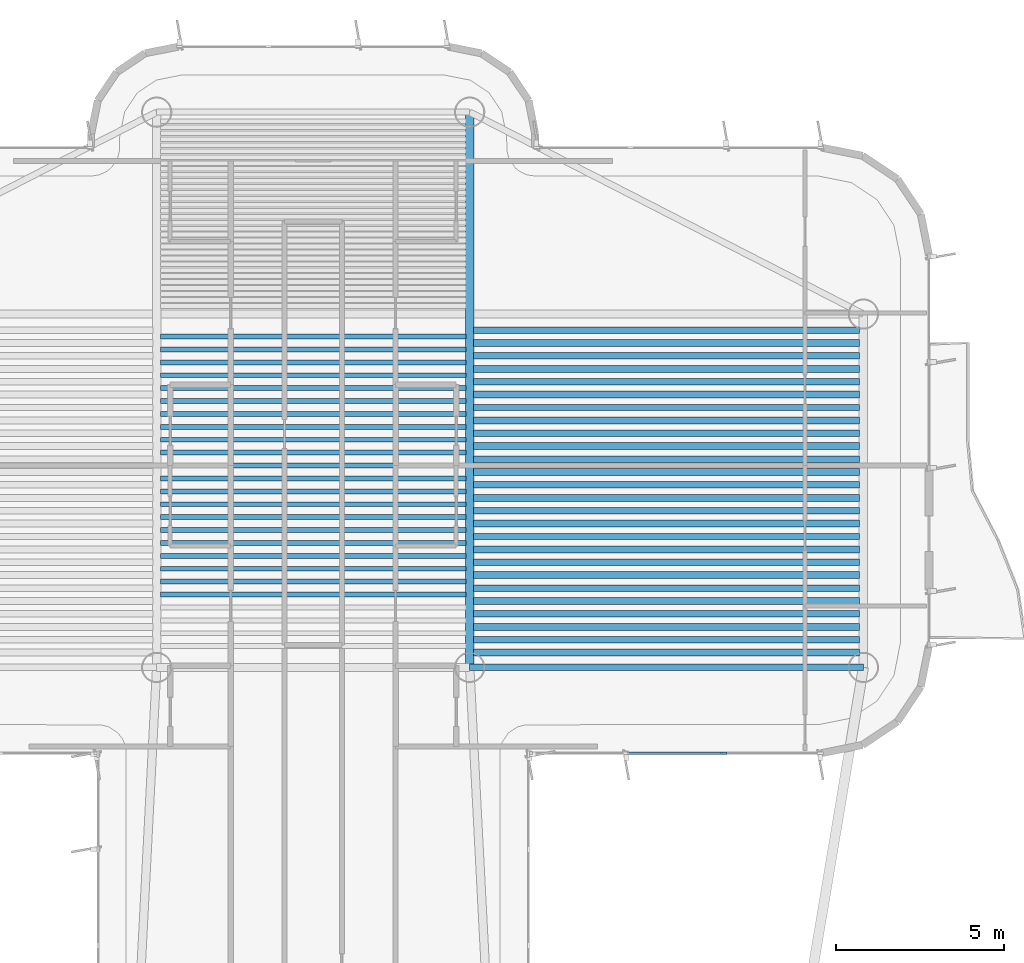
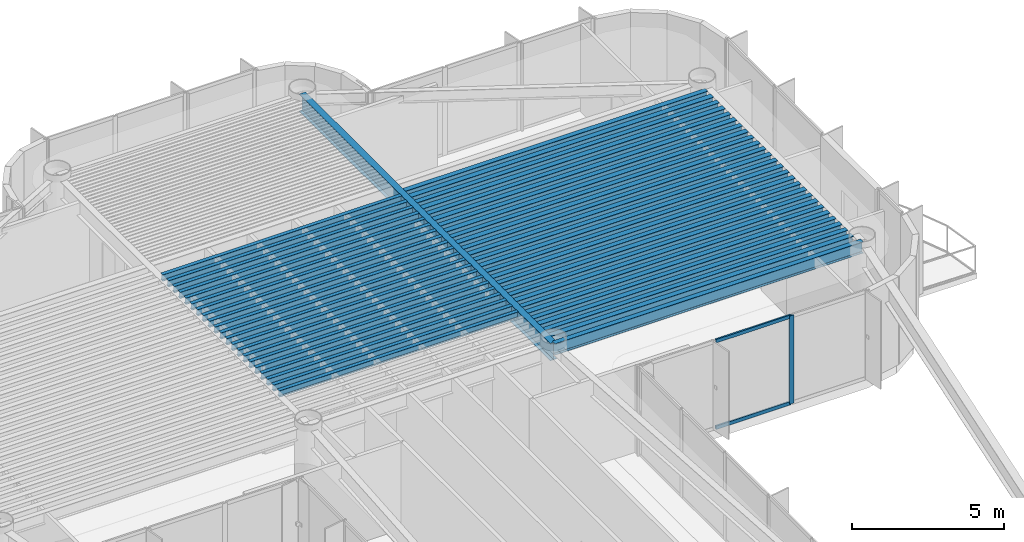
# One storey, part 6 of 16: 49 beams, 3 members, 1 element without a shape of its own.
"""IFC4 building model written with IfcOpenShell, lengths in metres."""

from ifc_helpers import new_model, si_unit, direction, frame, origin, origin_2d, place, context, subcontext, project, spatial, rectangle, i_section, extrude, source, transform, mapped, material, layer, layer_set, material_profile, profile_set, type_object, element, aggregate, save


model = new_model("IFC4")

# Units and contexts
model_context = context("Model", 3, precision=1e-05, world=origin(), true_north=direction((0.0, 1.0)))
body_context = subcontext(model_context, "Body", "Model", "MODEL_VIEW")
ifc_project = project(units=[si_unit("LENGTHUNIT", "METRE"), si_unit("AREAUNIT", "SQUARE_METRE"), si_unit("VOLUMEUNIT", "CUBIC_METRE"), si_unit("PLANEANGLEUNIT", "RADIAN"), si_unit("MASSUNIT", "GRAM", prefix="KILO")], contexts=[model_context])

# Site, building, storey
site_placement = place(None, origin())
site = spatial("IfcSite", under=ifc_project, at=site_placement, CompositionType="ELEMENT")
building_placement = place(site_placement, origin())
building = spatial("IfcBuilding", under=site, at=building_placement, Name="Brelvock Crest Care Tower", CompositionType="ELEMENT")
storey_placement = place(building_placement, frame((0.0, 0.0, 223.02001953125)))
storey = spatial("IfcBuildingStorey", under=building, at=storey_placement, Name="L56", CompositionType="ELEMENT", Elevation=223.02001953125)

# Beams
ifc_material_1 = material(Name="Steel Grade 350", Category="steel")
ifc_material_profile_1 = material_profile(ifc_material_1, i_section(OverallWidth=0.14599609375, OverallDepth=0.256103515625, WebThickness=0.00634765625, FlangeThickness=0.010986328125, FilletRadius=0.0087890625, at=origin_2d()), Name="250UB37.3")
ifc_profile_set_1 = profile_set([ifc_material_profile_1], Name="Steel Grade 350")
beam_type_1 = type_object("IfcBeamType", Name="BM-J3", PredefinedType="JOIST", material=ifc_profile_set_1)
shared_shape_1 = source(origin(), body_context, "Body", "SweptSolid", [
    extrude(i_section(OverallWidth=0.14599609375, OverallDepth=0.256103515625, WebThickness=0.00634765625, FlangeThickness=0.010986328125, FilletRadius=0.0087890625, at=origin_2d()), origin(), (0.0, 0.0, 1.0), 9.06982421875),
])
for number, where, z_axis, x_axis, name in (
    (1, (31.465087890625, 46.115478515625, 3.402099609375), (1.0, 0.0, 0.0), (0.0, 1.0, 0.0), "BM-JH-L56-5"),
    (2, (31.465087890625, 46.498779296875, 3.402099609375), (1.0, 0.0, 0.0), (0.0, 1.0, 0.0), "BM-JH-L56-6"),
    (3, (31.465087890625, 46.882080078125, 3.402099609375), (1.0, 0.0, 0.0), (0.0, 1.0, 0.0), "BM-JH-L56-7"),
    (4, (31.465087890625, 47.265380859375, 3.402099609375), (1.0, 0.0, 0.0), (0.0, 1.0, 0.0), "BM-JH-L56-8"),
    (5, (31.465087890625, 47.648681640625, 3.402099609375), (1.0, 0.0, 0.0), (0.0, 1.0, 0.0), "BM-JH-L56-9"),
    (6, (31.465087890625, 48.031982421875, 3.402099609375), (1.0, 0.0, 0.0), (0.0, 1.0, 0.0), "BM-JH-L56-10"),
    (7, (31.465087890625, 48.4150390625, 3.402099609375), (1.0, 0.0, 0.0), (0.0, 1.0, 0.0), "BM-JH-L56-11"),
    (8, (31.465087890625, 48.79833984375, 3.402099609375), (1.0, 0.0, 0.0), (0.0, 1.0, 0.0), "BM-JH-L56-12"),
    (9, (31.465087890625, 49.181640625, 3.402099609375), (1.0, 0.0, 0.0), (0.0, 1.0, 0.0), "BM-JH-L56-13"),
    (10, (31.465087890625, 49.564697265625, 3.402099609375), (1.0, 0.0, 0.0), (0.0, 1.0, 0.0), "BM-JH-L56-14"),
    (11, (31.465087890625, 49.947998046875, 3.402099609375), (1.0, 0.0, 0.0), (0.0, 1.0, 0.0), "BM-JH-L56-15"),
    (12, (31.465087890625, 50.331298828125, 3.402099609375), (1.0, 0.0, 0.0), (0.0, 1.0, 0.0), "BM-JH-L56-16"),
    (13, (31.465087890625, 50.714599609375, 3.402099609375), (1.0, 0.0, 0.0), (0.0, 1.0, 0.0), "BM-JH-L56-17"),
    (14, (31.465087890625, 51.097900390625, 3.402099609375), (1.0, 0.0, 0.0), (0.0, 1.0, 0.0), "BM-JH-L56-18"),
    (15, (31.465087890625, 51.481201171875, 3.402099609375), (1.0, 0.0, 0.0), (0.0, 1.0, 0.0), "BM-JH-L56-19"),
    (16, (31.465087890625, 51.864501953125, 3.402099609375), (1.0, 0.0, 0.0), (0.0, 1.0, 0.0), "BM-JH-L56-20"),
    (17, (31.465087890625, 52.24755859375, 3.402099609375), (1.0, 0.0, 0.0), (0.0, 1.0, 0.0), "BM-JH-L56-21"),
    (18, (31.465087890625, 52.630859375, 3.402099609375), (1.0, 0.0, 0.0), (0.0, 1.0, 0.0), "BM-JH-L56-22"),
    (19, (31.465087890625, 53.01416015625, 3.402099609375), (1.0, 0.0, 0.0), (0.0, 1.0, 0.0), "BM-JH-L56-23"),
    (20, (31.465087890625, 53.3974609375, 3.402099609375), (1.0, 0.0, 0.0), (0.0, 1.0, 0.0), "BM-JH-L56-24"),
    (21, (31.465087890625, 53.780517578125, 3.402099609375), (1.0, 0.0, 0.0), (0.0, 1.0, 0.0), "BM-JH-L56-25"),
):
    element("IfcBeam", number, at=place(storey_placement, frame(where, z_axis=z_axis, x_axis=x_axis)), inside=storey, type_object=beam_type_1, Name=name, PredefinedType="JOIST", context=body_context, shape_type="MappedRepresentation", body=[
        mapped(shared_shape_1, transform((0.0, 0.0, 0.0), x_axis=(1.0, 0.0, 0.0), y_axis=(0.0, 1.0, 0.0), z_axis=(0.0, 0.0, 1.0), scale=1.0)),
    ])
ifc_material_profile_2 = material_profile(ifc_material_1, i_section(OverallWidth=0.19091796875, OverallDepth=0.4599609375, WebThickness=0.010009765625, FlangeThickness=0.01611328125, FilletRadius=0.011474609375, at=origin_2d()), Name="460UB82.1")
ifc_profile_set_2 = profile_set([ifc_material_profile_2], Name="Steel Grade 350")
beam_type_2 = type_object("IfcBeamType", Name="BM-G3", PredefinedType="BEAM", material=ifc_profile_set_2)
shared_shape_2 = source(origin(), body_context, "Body", "SweptSolid", [
    extrude(i_section(OverallWidth=0.19091796875, OverallDepth=0.4599609375, WebThickness=0.010009765625, FlangeThickness=0.01611328125, FilletRadius=0.011474609375, at=origin_2d()), origin(), (0.0, 0.0, 1.0), 11.47021484375),
])
for number, where, z_axis, x_axis, name in (
    (22, (40.764892578125, 44.7744140625, 3.300048828125), (1.0, 0.0, 0.0), (0.0, 1.0, 0.0), "BM-JE-L56-2"),
    (23, (40.764892578125, 45.540771484375, 3.300048828125), (1.0, 0.0, 0.0), (0.0, 1.0, 0.0), "BM-JE-L56-4"),
    (24, (40.764892578125, 46.307373046875, 3.300048828125), (1.0, 0.0, 0.0), (0.0, 1.0, 0.0), "BM-JE-L56-6"),
    (25, (40.764892578125, 47.07373046875, 3.300048828125), (1.0, 0.0, 0.0), (0.0, 1.0, 0.0), "BM-JE-L56-8"),
    (26, (40.764892578125, 47.84033203125, 3.300048828125), (1.0, 0.0, 0.0), (0.0, 1.0, 0.0), "BM-JE-L56-10"),
    (27, (40.764892578125, 48.606689453125, 3.300048828125), (1.0, 0.0, 0.0), (0.0, 1.0, 0.0), "BM-JE-L56-12"),
    (28, (40.764892578125, 49.373291015625, 3.300048828125), (1.0, 0.0, 0.0), (0.0, 1.0, 0.0), "BM-JE-L56-14"),
    (29, (40.764892578125, 50.139892578125, 3.300048828125), (1.0, 0.0, 0.0), (0.0, 1.0, 0.0), "BM-JE-L56-16"),
    (30, (40.764892578125, 50.90625, 3.300048828125), (1.0, 0.0, 0.0), (0.0, 1.0, 0.0), "BM-JE-L56-18"),
    (31, (40.764892578125, 51.6728515625, 3.300048828125), (1.0, 0.0, 0.0), (0.0, 1.0, 0.0), "BM-JE-L56-20"),
    (32, (40.764892578125, 52.439208984375, 3.300048828125), (1.0, 0.0, 0.0), (0.0, 1.0, 0.0), "BM-JE-L56-22"),
    (33, (40.764892578125, 53.205810546875, 3.300048828125), (1.0, 0.0, 0.0), (0.0, 1.0, 0.0), "BM-JE-L56-24"),
    (34, (40.764892578125, 53.972412109375, 3.300048828125), (1.0, 0.0, 0.0), (0.0, 1.0, 0.0), "BM-JE-L56-26"),
):
    element("IfcBeam", number, at=place(storey_placement, frame(where, z_axis=z_axis, x_axis=x_axis)), inside=storey, type_object=beam_type_2, Name=name, PredefinedType="BEAM", context=body_context, shape_type="MappedRepresentation", body=[
        mapped(shared_shape_2, transform((0.0, 0.0, 0.0), x_axis=(1.0, 0.0, 0.0), y_axis=(0.0, 1.0, 0.0), z_axis=(0.0, 0.0, 1.0), scale=1.0)),
    ])
ifc_material_profile_3 = material_profile(ifc_material_1, i_section(OverallWidth=0.208984375, OverallDepth=0.532958984375, WebThickness=0.01025390625, FlangeThickness=0.015625, FilletRadius=0.013916015625, at=origin_2d()), Name="530UB92.4")
ifc_profile_set_3 = profile_set([ifc_material_profile_3], Name="Steel Grade 350")
beam_type_3 = type_object("IfcBeamType", Name="BM-G2", PredefinedType="BEAM", material=ifc_profile_set_3)
shared_shape_3 = source(origin(), body_context, "Body", "SweptSolid", [
    extrude(i_section(OverallWidth=0.208984375, OverallDepth=0.532958984375, WebThickness=0.01025390625, FlangeThickness=0.015625, FilletRadius=0.013916015625, at=origin_2d()), origin(), (0.0, 0.0, 1.0), 11.47021484375),
])
for number, where, z_axis, x_axis, name in (
    (35, (40.764892578125, 44.39111328125, 3.263427734375), (1.0, 0.0, 0.0), (0.0, 1.0, 0.0), "BM-JE-L56-1"),
    (36, (40.764892578125, 45.157470703125, 3.263427734375), (1.0, 0.0, 0.0), (0.0, 1.0, 0.0), "BM-JE-L56-3"),
    (37, (40.764892578125, 45.924072265625, 3.263427734375), (1.0, 0.0, 0.0), (0.0, 1.0, 0.0), "BM-JE-L56-5"),
    (38, (40.764892578125, 46.6904296875, 3.263427734375), (1.0, 0.0, 0.0), (0.0, 1.0, 0.0), "BM-JE-L56-7"),
    (39, (40.764892578125, 47.45703125, 3.263427734375), (1.0, 0.0, 0.0), (0.0, 1.0, 0.0), "BM-JE-L56-9"),
    (40, (40.764892578125, 48.223388671875, 3.263427734375), (1.0, 0.0, 0.0), (0.0, 1.0, 0.0), "BM-JE-L56-11"),
    (41, (40.764892578125, 48.989990234375, 3.263427734375), (1.0, 0.0, 0.0), (0.0, 1.0, 0.0), "BM-JE-L56-13"),
    (42, (40.764892578125, 49.756591796875, 3.263427734375), (1.0, 0.0, 0.0), (0.0, 1.0, 0.0), "BM-JE-L56-15"),
    (43, (40.764892578125, 50.52294921875, 3.263427734375), (1.0, 0.0, 0.0), (0.0, 1.0, 0.0), "BM-JE-L56-17"),
    (44, (40.764892578125, 51.28955078125, 3.263427734375), (1.0, 0.0, 0.0), (0.0, 1.0, 0.0), "BM-JE-L56-19"),
    (45, (40.764892578125, 52.055908203125, 3.263427734375), (1.0, 0.0, 0.0), (0.0, 1.0, 0.0), "BM-JE-L56-21"),
    (46, (40.764892578125, 52.822509765625, 3.263427734375), (1.0, 0.0, 0.0), (0.0, 1.0, 0.0), "BM-JE-L56-23"),
    (47, (40.764892578125, 53.589111328125, 3.263427734375), (1.0, 0.0, 0.0), (0.0, 1.0, 0.0), "BM-JE-L56-25"),
):
    element("IfcBeam", number, at=place(storey_placement, frame(where, z_axis=z_axis, x_axis=x_axis)), inside=storey, type_object=beam_type_3, Name=name, PredefinedType="BEAM", context=body_context, shape_type="MappedRepresentation", body=[
        mapped(shared_shape_3, transform((0.0, 0.0, 0.0), x_axis=(1.0, 0.0, 0.0), y_axis=(0.0, 1.0, 0.0), z_axis=(0.0, 0.0, 1.0), scale=1.0)),
    ])
ifc_material_profile_4 = material_profile(ifc_material_1, i_section(OverallWidth=0.19091796875, OverallDepth=0.4599609375, WebThickness=0.010009765625, FlangeThickness=0.01611328125, FilletRadius=0.011474609375, at=origin_2d()), Name="460UB82.1")
ifc_profile_set_4 = profile_set([ifc_material_profile_4], Name="Steel Grade 350")
beam_type_4 = type_object("IfcBeamType", Name="BM-SP2", PredefinedType="SPANDREL", material=ifc_profile_set_4)
shared_shape_4 = source(origin(), body_context, "Body", "SweptSolid", [
    extrude(i_section(OverallWidth=0.19091796875, OverallDepth=0.4599609375, WebThickness=0.010009765625, FlangeThickness=0.01611328125, FilletRadius=0.011474609375, at=origin_2d()), origin(), (0.0, 0.0, 1.0), 11.7001953125),
])
beam_1_placement = place(storey_placement, frame((40.64990234375, 43.949951171875, 3.300048828125), z_axis=(1.0, 0.0, 0.0), x_axis=(0.0, 1.0, 0.0)))
element("IfcBeam", 48, at=beam_1_placement, inside=storey, type_object=beam_type_4, Name="BM-TWR-L56-04", PredefinedType="SPANDREL", context=body_context, shape_type="MappedRepresentation", body=[
    mapped(shared_shape_4, transform((0.0, 0.0, 0.0), x_axis=(1.0, 0.0, 0.0), y_axis=(0.0, 1.0, 0.0), z_axis=(0.0, 0.0, 1.0), scale=1.0)),
])
ifc_material_profile_5 = material_profile(ifc_material_1, i_section(OverallWidth=0.25, OverallDepth=0.699951171875, WebThickness=0.011962890625, FlangeThickness=0.02001953125, at=origin_2d()), Name="700WB150")
ifc_profile_set_5 = profile_set([ifc_material_profile_5], Name="Steel Grade 350")
beam_type_5 = type_object("IfcBeamType", Name="BM-G4", PredefinedType="BEAM", material=ifc_profile_set_5)
shared_shape_5 = source(origin(), body_context, "Body", "SweptSolid", [
    extrude(i_section(OverallWidth=0.25, OverallDepth=0.699951171875, WebThickness=0.011962890625, FlangeThickness=0.02001953125, at=origin_2d()), origin(), (0.0, 0.0, 1.0), 16.5),
])
beam_2_placement = place(storey_placement, frame((40.64990234375, 43.949951171875, 3.179931640625), z_axis=(0.0, 1.0, 0.0), x_axis=(-1.0, 0.0, 0.0)))
element("IfcBeam", 49, at=beam_2_placement, inside=storey, type_object=beam_type_5, Name="BM-TWR-L56-10", PredefinedType="BEAM", context=body_context, shape_type="MappedRepresentation", body=[
    mapped(shared_shape_5, transform((0.0, 0.0, 0.0), x_axis=(1.0, 0.0, 0.0), y_axis=(0.0, 1.0, 0.0), z_axis=(0.0, 0.0, 1.0), scale=1.0)),
])

# Curtain wall, members
ifc_material_2 = material(Name="Dark Glass Double Glazed Low-E", Category="glass")
ifc_layer = layer(ifc_material_2, 0.239990234375, Name="CWS-5")
ifc_layer_set = layer_set([ifc_layer], Name="Dark Glass Double Glazed Low-E")
curtain_wall_type = type_object("IfcCurtainWallType", Name="CWS-5", PredefinedType="NOTDEFINED", material=ifc_layer_set)
curtain_wall_placement = place(storey_placement, origin())
curtain_wall = element("IfcCurtainWall", 50, at=curtain_wall_placement, inside=storey, type_object=curtain_wall_type, Name="L56 Curtain Wall E44", PredefinedType="NOTDEFINED")
ifc_material_3 = material(Name="Aluminium 6063-T6", Category="aluminium")
ifc_material_profile_6 = material_profile(ifc_material_3, rectangle(XDim=0.06005859375, YDim=0.179931640625, at=origin_2d()), Name="ALU60x180")
ifc_profile_set_6 = profile_set([ifc_material_profile_6], Name="Aluminium 6063-T6")
member_type_1 = type_object("IfcMemberType", Name="CWM-2", PredefinedType="MULLION", material=ifc_profile_set_6)
shared_shape_6 = source(origin(), body_context, "Body", "SweptSolid", [
    extrude(rectangle(XDim=0.06005859375, YDim=0.179931640625, at=origin_2d()), origin(), (0.0, 0.0, 1.0), 3.530029296875),
])
member_1_placement = place(storey_placement, frame((48.199951171875, 41.39990234375, 0.0), z_axis=(0.0, 0.0, 1.0), x_axis=(0.0, -1.0, 0.0)))
member_1 = element("IfcMember", 51, at=member_1_placement, type_object=member_type_1, Name="CW-5 mullion 2", PredefinedType="MULLION", context=body_context, shape_type="MappedRepresentation", body=[
    mapped(shared_shape_6, transform((0.0, 0.0, 0.0), x_axis=(1.0, 0.0, 0.0), y_axis=(0.0, 1.0, 0.0), z_axis=(0.0, 0.0, 1.0), scale=1.0)),
])
ifc_material_profile_7 = material_profile(ifc_material_3, rectangle(XDim=0.06005859375, YDim=0.139892578125, at=origin_2d()), Name="ALU60x140")
ifc_profile_set_7 = profile_set([ifc_material_profile_7], Name="Aluminium 6063-T6")
member_type_2 = type_object("IfcMemberType", Name="CWT-2", PredefinedType="USERDEFINED", material=ifc_profile_set_7)
shared_shape_7 = source(origin(), body_context, "Body", "SweptSolid", [
    extrude(rectangle(XDim=0.06005859375, YDim=0.139892578125, at=origin_2d()), origin(), (0.0, 0.0, 1.0), 2.83984375),
])
member_2_placement = place(storey_placement, frame((48.169921875, 41.39990234375, 0.030029296875), z_axis=(-1.0, 0.0, 0.0), x_axis=(0.0, -1.0, 0.0)))
member_2 = element("IfcMember", 52, at=member_2_placement, type_object=member_type_2, Name="CW-5 transom 2.1", ObjectType="TRANSOM", PredefinedType="USERDEFINED", context=body_context, shape_type="MappedRepresentation", body=[
    mapped(shared_shape_7, transform((0.0, 0.0, 0.0), x_axis=(1.0, 0.0, 0.0), y_axis=(0.0, 1.0, 0.0), z_axis=(0.0, 0.0, 1.0), scale=1.0)),
])
member_3_placement = place(storey_placement, frame((48.169921875, 41.39990234375, 3.5), z_axis=(-1.0, 0.0, 0.0), x_axis=(0.0, -1.0, 0.0)))
member_3 = element("IfcMember", 53, at=member_3_placement, type_object=member_type_2, Name="CW-5 transom 2.2", ObjectType="TRANSOM", PredefinedType="USERDEFINED", context=body_context, shape_type="MappedRepresentation", body=[
    mapped(shared_shape_7, transform((0.0, 0.0, 0.0), x_axis=(1.0, 0.0, 0.0), y_axis=(0.0, 1.0, 0.0), z_axis=(0.0, 0.0, 1.0), scale=1.0)),
])
aggregate(curtain_wall, [member_1, member_2, member_3])

save(model, "model.ifc")
